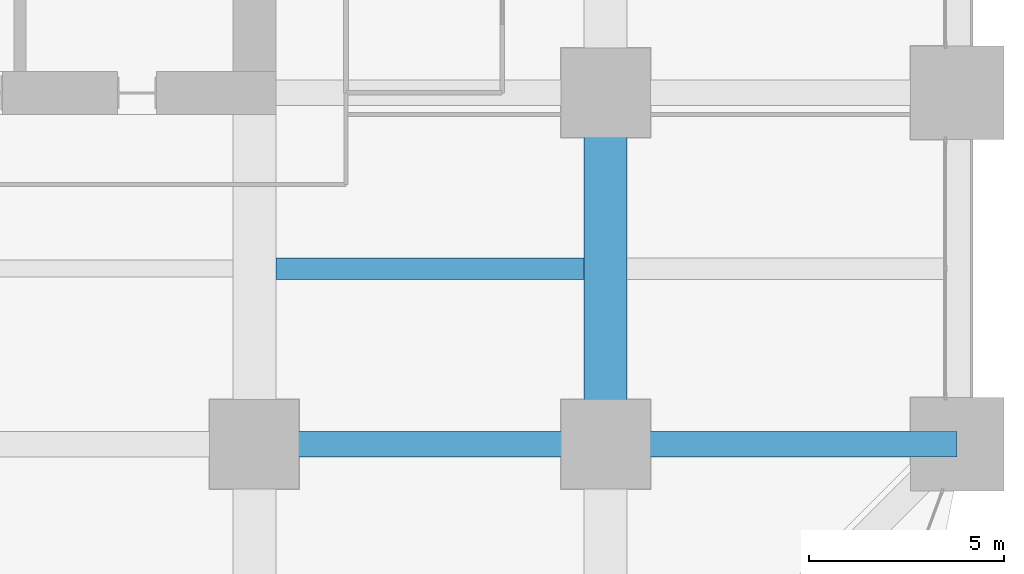
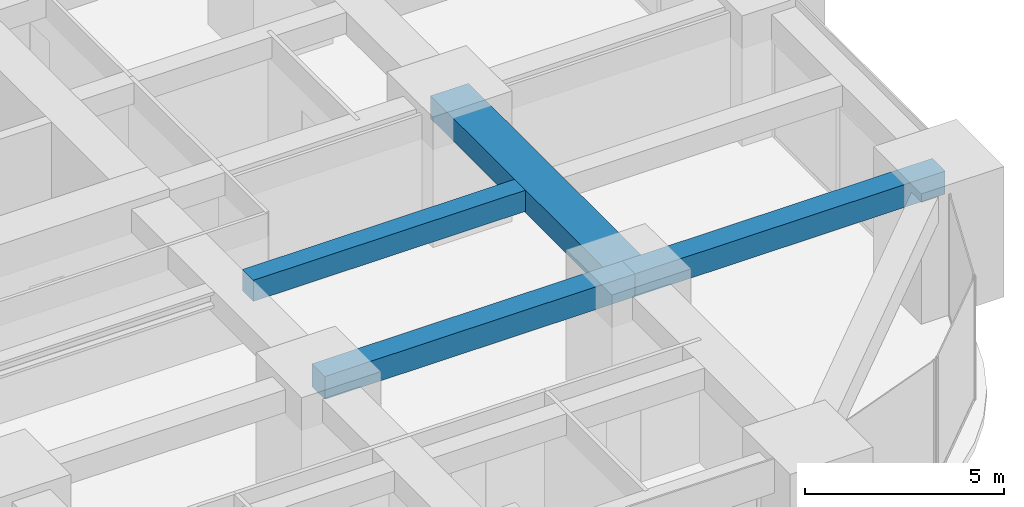
# One storey, part 17 of 44: 4 beams.
"""IFC4 building model written with IfcOpenShell, lengths in metres."""

from ifc_helpers import new_model, si_unit, direction, frame, origin, origin_2d, place, context, subcontext, project, spatial, rectangle, extrude, material, material_profile, profile_set, type_object, element, save


model = new_model("IFC4")

# Units and contexts
model_context = context("Model", 3, precision=1e-05, world=origin(), true_north=direction((0.0, 1.0)))
body_context = subcontext(model_context, "Body", "Model", "MODEL_VIEW")
ifc_project = project(units=[si_unit("LENGTHUNIT", "METRE"), si_unit("AREAUNIT", "SQUARE_METRE"), si_unit("VOLUMEUNIT", "CUBIC_METRE"), si_unit("PLANEANGLEUNIT", "RADIAN"), si_unit("MASSUNIT", "GRAM", prefix="KILO")], contexts=[model_context])

# Site, building, storey
site_placement = place(None, origin())
site = spatial("IfcSite", under=ifc_project, at=site_placement, CompositionType="ELEMENT")
building_placement = place(site_placement, origin())
building = spatial("IfcBuilding", under=site, at=building_placement, Name="Zorevar Civic Tower", CompositionType="ELEMENT")
storey_placement = place(building_placement, frame((0.0, 0.0, 43.800048828125)))
storey = spatial("IfcBuildingStorey", under=building, at=storey_placement, Name="L10", CompositionType="ELEMENT", Elevation=43.800048828125)

# Beams
ifc_material_1 = material(Name="Concrete C50/60", Category="concrete")
ifc_material_profile_1 = material_profile(ifc_material_1, rectangle(XDim=1.10009765625, YDim=0.699951171875, at=origin_2d()), Name="RC 1100x700")
ifc_profile_set_1 = profile_set([ifc_material_profile_1], Name="Concrete C50/60")
beam_type_1 = type_object("IfcBeamType", Name="Beam RC 1100x700", PredefinedType="BEAM", material=ifc_profile_set_1)
beam_1_placement = place(storey_placement, frame((54.0, 9.0, 3.39990234375), z_axis=(0.0, 1.0, 0.0), x_axis=(-1.0, 0.0, 0.0)))
element("IfcBeam", 1, at=beam_1_placement, inside=storey, type_object=beam_type_1, Name="Girder L11", PredefinedType="BEAM", context=body_context, shape_type="SweptSolid", body=[
    extrude(rectangle(XDim=1.10009765625, YDim=0.699951171875, at=origin_2d()), origin(), (0.0, 0.0, 1.0), 9.0),
])
ifc_material_2 = material(Name="Concrete C50/60", Category="concrete")
ifc_material_profile_2 = material_profile(ifc_material_2, rectangle(XDim=0.550048828125, YDim=0.64990234375, at=origin_2d()), Name="RC 550x650")
ifc_profile_set_2 = profile_set([ifc_material_profile_2], Name="Concrete C50/60")
beam_type_2 = type_object("IfcBeamType", Name="Beam RC 550x650", PredefinedType="BEAM", material=ifc_profile_set_2)
beam_2_placement = place(storey_placement, frame((45.550048828125, 13.5, 3.425048828125), z_axis=(1.0, 0.0, 0.0), x_axis=(0.0, 1.0, 0.0)))
element("IfcBeam", 2, at=beam_2_placement, inside=storey, type_object=beam_type_2, Name="Secondary beam L11", PredefinedType="BEAM", context=body_context, shape_type="SweptSolid", body=[
    extrude(rectangle(XDim=0.550048828125, YDim=0.64990234375, at=origin_2d()), origin(), (0.0, 0.0, 1.0), 7.89990234375),
])
ifc_material_3 = material(Name="Concrete C50/60", Category="concrete")
ifc_material_profile_3 = material_profile(ifc_material_3, rectangle(XDim=0.64990234375, YDim=0.699951171875, at=origin_2d()), Name="RC 650x700")
ifc_profile_set_3 = profile_set([ifc_material_profile_3], Name="Concrete C50/60")
beam_type_3 = type_object("IfcBeamType", Name="Beam RC 650x700", PredefinedType="BEAM", material=ifc_profile_set_3)
for number, where, z_axis, x_axis, name in (
    (3, (45.0, 9.0, 3.39990234375), (1.0, 0.0, 0.0), (0.0, 1.0, 0.0), "Girder L11"),
    (4, (54.0, 9.0, 3.39990234375), (1.0, 0.0, 0.0), (0.0, 1.0, 0.0), "Girder L11"),
):
    element("IfcBeam", number, at=place(storey_placement, frame(where, z_axis=z_axis, x_axis=x_axis)), inside=storey, type_object=beam_type_3, Name=name, PredefinedType="BEAM", context=body_context, shape_type="SweptSolid", body=[
        extrude(rectangle(XDim=0.64990234375, YDim=0.699951171875, at=origin_2d()), origin(), (0.0, 0.0, 1.0), 9.0),
    ])

save(model, "model.ifc")
